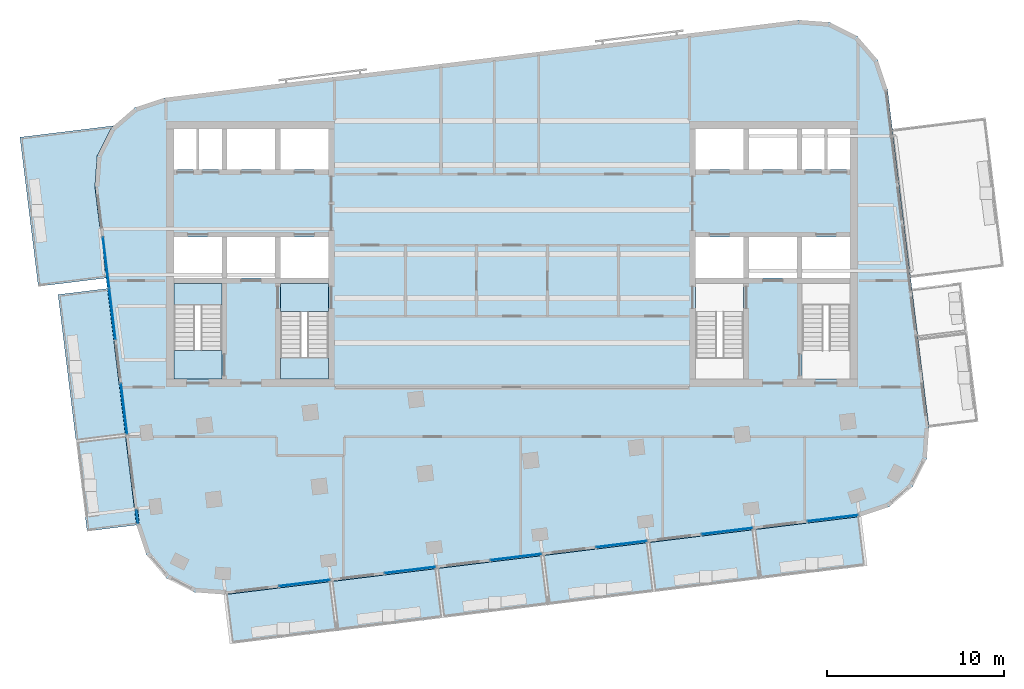
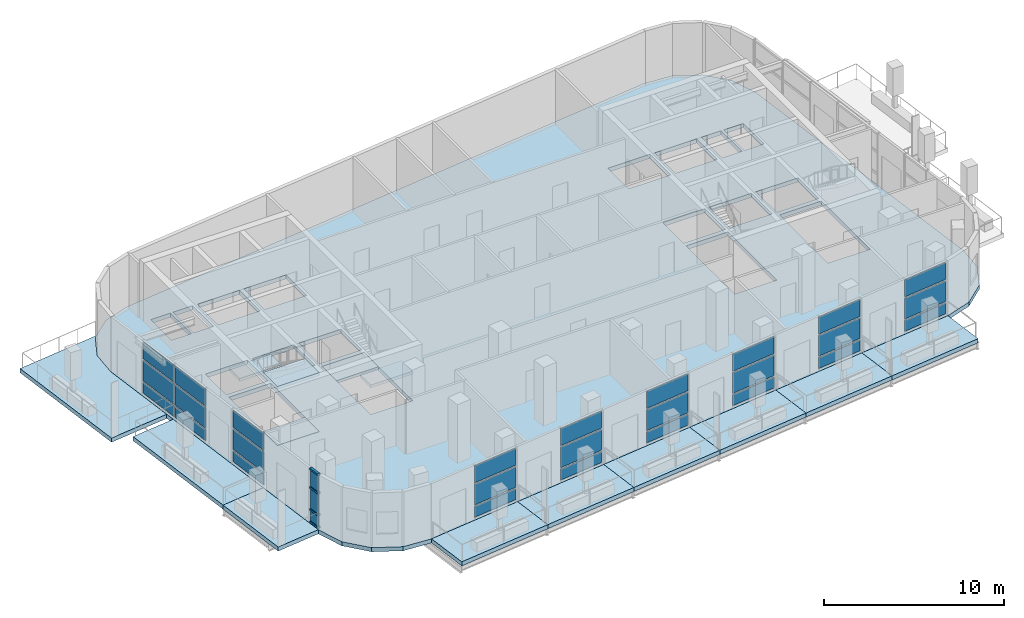
# One storey, part 5 of 14: 30 plates, 15 slabs, 4 members, 11 elements without a shape of their own.
"""IFC4 building model written with IfcOpenShell, lengths in metres."""

from ifc_helpers import new_model, si_unit, direction, frame, origin, origin_2d, place, context, subcontext, project, spatial, polyline, rectangle, outline, extrude, material, layer, layer_set, material_profile, profile_set, type_object, element, aggregate, save


model = new_model("IFC4")

# Units and contexts
model_context = context("Model", 3, precision=1e-05, world=origin(), true_north=direction((0.0, 1.0)))
body_context = subcontext(model_context, "Body", "Model", "MODEL_VIEW")
ifc_project = project(units=[si_unit("LENGTHUNIT", "METRE"), si_unit("AREAUNIT", "SQUARE_METRE"), si_unit("VOLUMEUNIT", "CUBIC_METRE"), si_unit("PLANEANGLEUNIT", "RADIAN"), si_unit("MASSUNIT", "GRAM", prefix="KILO")], contexts=[model_context])

# Site, building, storey
site_placement = place(None, origin())
site = spatial("IfcSite", under=ifc_project, at=site_placement, CompositionType="ELEMENT")
building_placement = place(site_placement, origin())
building = spatial("IfcBuilding", under=site, at=building_placement, Name="Torana Hotel and Residences", CompositionType="ELEMENT")
storey_placement = place(building_placement, frame((0.0, 0.0, 338.60009765625)))
storey = spatial("IfcBuildingStorey", under=building, at=storey_placement, Name="L89", CompositionType="ELEMENT", Elevation=338.60009765625)

# Curtain wall, members
ifc_material_1 = material(Name="Dark anodised aluminium", Category="aluminium")
ifc_layer_1 = layer(ifc_material_1, 0.199951171875)
ifc_layer_set_1 = layer_set([ifc_layer_1], Name="CW3 SKY CLUB UNITISED CURTAIN WALL")
curtain_wall_type = type_object("IfcCurtainWallType", Name="CW3 SKY CLUB UNITISED CURTAIN WALL", PredefinedType="NOTDEFINED", material=ifc_layer_set_1)
curtain_wall_1_placement = place(storey_placement, origin())
curtain_wall_1 = element("IfcCurtainWall", 1, at=curtain_wall_1_placement, inside=storey, type_object=curtain_wall_type, Name="Curtain wall CW3 L89 e0.9-6", PredefinedType="NOTDEFINED")
ifc_material_2 = material(Name="Dark anodised aluminium", Category="aluminium")
ifc_material_profile = material_profile(ifc_material_2, rectangle(XDim=0.14990234375, YDim=0.1201171875, at=origin_2d()), Name="CW3 TRANSOM 150x120")
ifc_profile_set = profile_set([ifc_material_profile], Name="Dark anodised aluminium")
member_type = type_object("IfcMemberType", Name="CW3 TRANSOM 150x120", PredefinedType="USERDEFINED", material=ifc_profile_set)
member_1_placement = place(storey_placement, frame((-21.1640625, -21.9345703125, 0.059814453125), z_axis=(0.121868344815, -0.992546274252, 0.0), x_axis=(0.992546274252, 0.121868344815, 0.0)))
member_1 = element("IfcMember", 2, at=member_1_placement, type_object=member_type, Name="CW3 transom 1.1", ObjectType="TRANSOM", PredefinedType="USERDEFINED", context=body_context, shape_type="SweptSolid", body=[
    extrude(rectangle(XDim=0.14990234375, YDim=0.1201171875, at=origin_2d()), origin(), (0.0, 0.0, 1.0), 0.735107421875),
])
member_2_placement = place(storey_placement, frame((-21.1640625, -21.9345703125, 0.89990234375), z_axis=(0.121868344815, -0.992546274252, 0.0), x_axis=(0.992546274252, 0.121868344815, 0.0)))
member_2 = element("IfcMember", 3, at=member_2_placement, type_object=member_type, Name="CW3 transom 1.2", ObjectType="TRANSOM", PredefinedType="USERDEFINED", context=body_context, shape_type="SweptSolid", body=[
    extrude(rectangle(XDim=0.14990234375, YDim=0.1201171875, at=origin_2d()), origin(), (0.0, 0.0, 1.0), 0.735107421875),
])
member_3_placement = place(storey_placement, frame((-21.1640625, -21.9345703125, 2.39990234375), z_axis=(0.121868344815, -0.992546274252, 0.0), x_axis=(0.992546274252, 0.121868344815, 0.0)))
member_3 = element("IfcMember", 4, at=member_3_placement, type_object=member_type, Name="CW3 transom 1.3", ObjectType="TRANSOM", PredefinedType="USERDEFINED", context=body_context, shape_type="SweptSolid", body=[
    extrude(rectangle(XDim=0.14990234375, YDim=0.1201171875, at=origin_2d()), origin(), (0.0, 0.0, 1.0), 0.735107421875),
])
member_4_placement = place(storey_placement, frame((-21.1640625, -21.9345703125, 3.659912109375), z_axis=(0.121868344815, -0.992546274252, 0.0), x_axis=(0.992546274252, 0.121868344815, 0.0)))
member_4 = element("IfcMember", 5, at=member_4_placement, type_object=member_type, Name="CW3 transom 1.4", ObjectType="TRANSOM", PredefinedType="USERDEFINED", context=body_context, shape_type="SweptSolid", body=[
    extrude(rectangle(XDim=0.14990234375, YDim=0.1201171875, at=origin_2d()), origin(), (0.0, 0.0, 1.0), 0.735107421875),
])

# Slabs
ifc_material_3 = material(Name="Concrete C40/50", Category="concrete")
ifc_layer_2 = layer(ifc_material_3, 0.280029296875)
ifc_layer_set_2 = layer_set([ifc_layer_2], Name="BAL1 BALCONY SLAB 280")
slab_type_1 = type_object("IfcSlabType", Name="BAL1 BALCONY SLAB 280", PredefinedType="USERDEFINED", material=ifc_layer_set_2)
slab_1_placement = place(storey_placement, frame((0.0, 0.0, -0.280029296875)))
element("IfcSlab", 6, at=slab_1_placement, inside=storey, type_object=slab_type_1, Name="Balcony 01", ObjectType="BALCONY", PredefinedType="USERDEFINED", context=body_context, shape_type="SweptSolid", body=[
    extrude(outline(polyline([(-15.80615234375, -29.4677734375), (-9.85107421875, -28.736572265625), (-10.192138671875, -25.957275390625), (-16.1474609375, -26.6884765625), (-15.80615234375, -29.4677734375)])), origin(), (0.0, 0.0, 1.0), 0.280029296875),
])
slab_2_placement = place(storey_placement, frame((0.0, 0.0, -0.280029296875)))
element("IfcSlab", 7, at=slab_2_placement, inside=storey, type_object=slab_type_1, Name="Balcony 02", ObjectType="BALCONY", PredefinedType="USERDEFINED", context=body_context, shape_type="SweptSolid", body=[
    extrude(outline(polyline([(-9.85107421875, -28.736572265625), (-3.895751953125, -28.005126953125), (-4.23681640625, -25.22607421875), (-10.192138671875, -25.957275390625), (-9.85107421875, -28.736572265625)])), origin(), (0.0, 0.0, 1.0), 0.280029296875),
])
slab_3_placement = place(storey_placement, frame((0.0, 0.0, -0.280029296875)))
element("IfcSlab", 8, at=slab_3_placement, inside=storey, type_object=slab_type_1, Name="Balcony 03", ObjectType="BALCONY", PredefinedType="USERDEFINED", context=body_context, shape_type="SweptSolid", body=[
    extrude(outline(polyline([(-3.895751953125, -28.005126953125), (2.0595703125, -27.27392578125), (1.718505859375, -24.494873046875), (-4.23681640625, -25.22607421875), (-3.895751953125, -28.005126953125)])), origin(), (0.0, 0.0, 1.0), 0.280029296875),
])
slab_4_placement = place(storey_placement, frame((0.0, 0.0, -0.280029296875)))
element("IfcSlab", 9, at=slab_4_placement, inside=storey, type_object=slab_type_1, Name="Balcony 04", ObjectType="BALCONY", PredefinedType="USERDEFINED", context=body_context, shape_type="SweptSolid", body=[
    extrude(outline(polyline([(2.0595703125, -27.27392578125), (8.014892578125, -26.542724609375), (7.673583984375, -23.763671875), (1.718505859375, -24.494873046875), (2.0595703125, -27.27392578125)])), origin(), (0.0, 0.0, 1.0), 0.280029296875),
])
slab_5_placement = place(storey_placement, frame((0.0, 0.0, -0.280029296875)))
element("IfcSlab", 10, at=slab_5_placement, inside=storey, type_object=slab_type_1, Name="Balcony 05", ObjectType="BALCONY", PredefinedType="USERDEFINED", context=body_context, shape_type="SweptSolid", body=[
    extrude(outline(polyline([(8.014892578125, -26.542724609375), (13.97021484375, -25.8115234375), (13.62890625, -23.032470703125), (7.673583984375, -23.763671875), (8.014892578125, -26.542724609375)])), origin(), (0.0, 0.0, 1.0), 0.280029296875),
])
slab_6_placement = place(storey_placement, frame((0.0, 0.0, -0.280029296875)))
element("IfcSlab", 11, at=slab_6_placement, inside=storey, type_object=slab_type_1, Name="Balcony 06", ObjectType="BALCONY", PredefinedType="USERDEFINED", context=body_context, shape_type="SweptSolid", body=[
    extrude(outline(polyline([(13.97021484375, -25.8115234375), (19.92529296875, -25.080322265625), (19.584228515625, -22.30126953125), (13.62890625, -23.032470703125), (13.97021484375, -25.8115234375)])), origin(), (0.0, 0.0, 1.0), 0.280029296875),
])
slab_7_placement = place(storey_placement, frame((0.0, 0.0, -0.280029296875)))
element("IfcSlab", 12, at=slab_7_placement, inside=storey, type_object=slab_type_1, Name="Balcony 07", ObjectType="BALCONY", PredefinedType="USERDEFINED", context=body_context, shape_type="SweptSolid", body=[
    extrude(outline(polyline([(-23.94140625, -23.11181640625), (-21.162353515625, -22.7705078125), (-21.783935546875, -17.70849609375), (-24.56298828125, -18.0498046875), (-23.94140625, -23.11181640625)])), origin(), (0.0, 0.0, 1.0), 0.280029296875),
])
slab_8_placement = place(storey_placement, frame((0.0, 0.0, -0.280029296875)))
element("IfcSlab", 13, at=slab_8_placement, inside=storey, type_object=slab_type_1, Name="Balcony 08", ObjectType="BALCONY", PredefinedType="USERDEFINED", context=body_context, shape_type="SweptSolid", body=[
    extrude(outline(polyline([(-24.56298828125, -18.0498046875), (-21.783935546875, -17.70849609375), (-22.79833984375, -9.445556640625), (-25.57763671875, -9.786865234375), (-24.56298828125, -18.0498046875)])), origin(), (0.0, 0.0, 1.0), 0.280029296875),
])
slab_9_placement = place(storey_placement, frame((0.0, 0.0, -0.280029296875)))
element("IfcSlab", 14, at=slab_9_placement, inside=storey, type_object=slab_type_1, Name="Balcony 09", ObjectType="BALCONY", PredefinedType="USERDEFINED", context=body_context, shape_type="SweptSolid", body=[
    extrude(outline(polyline([(-26.69287109375, -9.319091796875), (-22.87158203125, -8.85009765625), (-23.502197265625, -3.713623046875), (-23.3720703125, -1.962646484375), (-22.581787109375, -0.394775390625), (-22.43701171875, -0.27001953125), (-27.724365234375, -0.919189453125), (-26.69287109375, -9.319091796875)])), origin(), (0.0, 0.0, 1.0), 0.280029296875),
])

# Curtain wall, plates
curtain_wall_2_placement = place(storey_placement, origin())
curtain_wall_2 = element("IfcCurtainWall", 15, at=curtain_wall_2_placement, inside=storey, type_object=curtain_wall_type, Name="Curtain wall CW3 L89 e0.9-2", PredefinedType="NOTDEFINED")
ifc_material_4 = material(Name="Glass dark tinted double glazed unit", Category="glass")
ifc_layer_3 = layer(ifc_material_4, 0.031982421875)
ifc_layer_set_3 = layer_set([ifc_layer_3], Name="CW3 DARK GLASS PANEL 32")
plate_type = type_object("IfcPlateType", Name="CW3 DARK GLASS PANEL 32", PredefinedType="CURTAIN_PANEL", material=ifc_layer_set_3)
plate_1_placement = place(storey_placement, frame((-22.876953125, -7.986083984375, 0.1201171875), z_axis=(0.0, 0.0, 1.0), x_axis=(0.121875529794, -0.992545392029, 0.0)))
plate_1 = element("IfcPlate", 16, at=plate_1_placement, type_object=plate_type, Name="CW3 panel 1.1", PredefinedType="CURTAIN_PANEL", context=body_context, shape_type="SweptSolid", body=[
    extrude(rectangle(XDim=2.853759765625, YDim=0.031982421875, at=origin_2d()), origin(), (0.0, 0.0, 1.0), 0.719970703125),
])
plate_2_placement = place(storey_placement, frame((-22.876953125, -7.986083984375, 0.9599609375), z_axis=(0.0, 0.0, 1.0), x_axis=(0.121875529794, -0.992545392029, 0.0)))
plate_2 = element("IfcPlate", 17, at=plate_2_placement, type_object=plate_type, Name="CW3 panel 1.2", PredefinedType="CURTAIN_PANEL", context=body_context, shape_type="SweptSolid", body=[
    extrude(rectangle(XDim=2.853759765625, YDim=0.031982421875, at=origin_2d()), origin(), (0.0, 0.0, 1.0), 1.3798828125),
])
plate_3_placement = place(storey_placement, frame((-22.876953125, -7.986083984375, 2.4599609375), z_axis=(0.0, 0.0, 1.0), x_axis=(0.121875529794, -0.992545392029, 0.0)))
plate_3 = element("IfcPlate", 18, at=plate_3_placement, type_object=plate_type, Name="CW3 panel 1.3", PredefinedType="CURTAIN_PANEL", context=body_context, shape_type="SweptSolid", body=[
    extrude(rectangle(XDim=2.853759765625, YDim=0.031982421875, at=origin_2d()), origin(), (0.0, 0.0, 1.0), 1.139892578125),
])
plate_4_placement = place(storey_placement, frame((-22.5205078125, -10.88818359375, 0.1201171875), z_axis=(0.0, 0.0, 1.0), x_axis=(0.121875529794, -0.992545392029, 0.0)))
plate_4 = element("IfcPlate", 19, at=plate_4_placement, type_object=plate_type, Name="CW3 panel 2.1", PredefinedType="CURTAIN_PANEL", context=body_context, shape_type="SweptSolid", body=[
    extrude(rectangle(XDim=2.853759765625, YDim=0.031982421875, at=origin_2d()), origin(), (0.0, 0.0, 1.0), 0.719970703125),
])
plate_5_placement = place(storey_placement, frame((-22.5205078125, -10.88818359375, 0.9599609375), z_axis=(0.0, 0.0, 1.0), x_axis=(0.121875529794, -0.992545392029, 0.0)))
plate_5 = element("IfcPlate", 20, at=plate_5_placement, type_object=plate_type, Name="CW3 panel 2.2", PredefinedType="CURTAIN_PANEL", context=body_context, shape_type="SweptSolid", body=[
    extrude(rectangle(XDim=2.853759765625, YDim=0.031982421875, at=origin_2d()), origin(), (0.0, 0.0, 1.0), 1.3798828125),
])
plate_6_placement = place(storey_placement, frame((-22.5205078125, -10.88818359375, 2.4599609375), z_axis=(0.0, 0.0, 1.0), x_axis=(0.121875529794, -0.992545392029, 0.0)))
plate_6 = element("IfcPlate", 21, at=plate_6_placement, type_object=plate_type, Name="CW3 panel 2.3", PredefinedType="CURTAIN_PANEL", context=body_context, shape_type="SweptSolid", body=[
    extrude(rectangle(XDim=2.853759765625, YDim=0.031982421875, at=origin_2d()), origin(), (0.0, 0.0, 1.0), 1.139892578125),
])
aggregate(curtain_wall_2, [plate_1, plate_2, plate_3, plate_4, plate_5, plate_6])

curtain_wall_3_placement = place(storey_placement, origin())
curtain_wall_3 = element("IfcCurtainWall", 22, at=curtain_wall_3_placement, inside=storey, type_object=curtain_wall_type, Name="Curtain wall CW3 L89 e0.9-4", PredefinedType="NOTDEFINED")
plate_7_placement = place(storey_placement, frame((-21.864990234375, -16.22607421875, 0.1201171875), z_axis=(0.0, 0.0, 1.0), x_axis=(0.121857464048, -0.992547610171, 0.0)))
plate_7 = element("IfcPlate", 23, at=plate_7_placement, type_object=plate_type, Name="CW3 panel 1.1", PredefinedType="CURTAIN_PANEL", context=body_context, shape_type="SweptSolid", body=[
    extrude(rectangle(XDim=2.822509765625, YDim=0.031982421875, at=origin_2d()), origin(), (0.0, 0.0, 1.0), 0.719970703125),
])
plate_8_placement = place(storey_placement, frame((-21.864990234375, -16.22607421875, 0.9599609375), z_axis=(0.0, 0.0, 1.0), x_axis=(0.121857464048, -0.992547610171, 0.0)))
plate_8 = element("IfcPlate", 24, at=plate_8_placement, type_object=plate_type, Name="CW3 panel 1.2", PredefinedType="CURTAIN_PANEL", context=body_context, shape_type="SweptSolid", body=[
    extrude(rectangle(XDim=2.822509765625, YDim=0.031982421875, at=origin_2d()), origin(), (0.0, 0.0, 1.0), 1.3798828125),
])
plate_9_placement = place(storey_placement, frame((-21.864990234375, -16.22607421875, 2.4599609375), z_axis=(0.0, 0.0, 1.0), x_axis=(0.121857464048, -0.992547610171, 0.0)))
plate_9 = element("IfcPlate", 25, at=plate_9_placement, type_object=plate_type, Name="CW3 panel 1.3", PredefinedType="CURTAIN_PANEL", context=body_context, shape_type="SweptSolid", body=[
    extrude(rectangle(XDim=2.822509765625, YDim=0.031982421875, at=origin_2d()), origin(), (0.0, 0.0, 1.0), 1.139892578125),
])
aggregate(curtain_wall_3, [plate_7, plate_8, plate_9])

# Plate
plate_10_placement = place(storey_placement, frame((-21.119384765625, -22.299560546875, 0.1201171875), z_axis=(0.0, 0.0, 1.0), x_axis=(0.121883404477, -0.992544425058, 0.0)))
plate_10 = element("IfcPlate", 26, at=plate_10_placement, type_object=plate_type, Name="CW3 panel 1.1", PredefinedType="CURTAIN_PANEL", context=body_context, shape_type="SweptSolid", body=[
    extrude(rectangle(XDim=0.7353515625, YDim=0.031982421875, at=origin_2d()), origin(), (0.0, 0.0, 1.0), 0.719970703125),
])

plate_11_placement = place(storey_placement, frame((-21.119384765625, -22.299560546875, 0.9599609375), z_axis=(0.0, 0.0, 1.0), x_axis=(0.121883404477, -0.992544425058, 0.0)))
plate_11 = element("IfcPlate", 27, at=plate_11_placement, type_object=plate_type, Name="CW3 panel 1.2", PredefinedType="CURTAIN_PANEL", context=body_context, shape_type="SweptSolid", body=[
    extrude(rectangle(XDim=0.7353515625, YDim=0.031982421875, at=origin_2d()), origin(), (0.0, 0.0, 1.0), 1.3798828125),
])

plate_12_placement = place(storey_placement, frame((-21.119384765625, -22.299560546875, 2.4599609375), z_axis=(0.0, 0.0, 1.0), x_axis=(0.121883404477, -0.992544425058, 0.0)))
plate_12 = element("IfcPlate", 28, at=plate_12_placement, type_object=plate_type, Name="CW3 panel 1.3", PredefinedType="CURTAIN_PANEL", context=body_context, shape_type="SweptSolid", body=[
    extrude(rectangle(XDim=0.7353515625, YDim=0.031982421875, at=origin_2d()), origin(), (0.0, 0.0, 1.0), 1.139892578125),
])

aggregate(curtain_wall_1, [member_1, member_2, member_3, member_4, plate_10, plate_11, plate_12])

# Curtain wall, plates
curtain_wall_4_placement = place(storey_placement, origin())
curtain_wall_4 = element("IfcCurtainWall", 29, at=curtain_wall_4_placement, inside=storey, type_object=curtain_wall_type, Name="Curtain wall CW3 L89 e0.14-2", PredefinedType="NOTDEFINED")
plate_13_placement = place(storey_placement, frame((-11.693115234375, -26.040771484375, 0.1201171875), z_axis=(0.0, 0.0, 1.0), x_axis=(0.992546285043, 0.121868256929, 0.0)))
plate_13 = element("IfcPlate", 30, at=plate_13_placement, type_object=plate_type, Name="CW3 panel 1.1", PredefinedType="CURTAIN_PANEL", context=body_context, shape_type="SweptSolid", body=[
    extrude(rectangle(XDim=2.85986328125, YDim=0.031982421875, at=origin_2d()), origin(), (0.0, 0.0, 1.0), 0.719970703125),
])
plate_14_placement = place(storey_placement, frame((-11.693115234375, -26.040771484375, 0.9599609375), z_axis=(0.0, 0.0, 1.0), x_axis=(0.992546285043, 0.121868256929, 0.0)))
plate_14 = element("IfcPlate", 31, at=plate_14_placement, type_object=plate_type, Name="CW3 panel 1.2", PredefinedType="CURTAIN_PANEL", context=body_context, shape_type="SweptSolid", body=[
    extrude(rectangle(XDim=2.85986328125, YDim=0.031982421875, at=origin_2d()), origin(), (0.0, 0.0, 1.0), 1.3798828125),
])
plate_15_placement = place(storey_placement, frame((-11.693115234375, -26.040771484375, 2.4599609375), z_axis=(0.0, 0.0, 1.0), x_axis=(0.992546285043, 0.121868256929, 0.0)))
plate_15 = element("IfcPlate", 32, at=plate_15_placement, type_object=plate_type, Name="CW3 panel 1.3", PredefinedType="CURTAIN_PANEL", context=body_context, shape_type="SweptSolid", body=[
    extrude(rectangle(XDim=2.85986328125, YDim=0.031982421875, at=origin_2d()), origin(), (0.0, 0.0, 1.0), 1.139892578125),
])
aggregate(curtain_wall_4, [plate_13, plate_14, plate_15])

curtain_wall_5_placement = place(storey_placement, origin())
curtain_wall_5 = element("IfcCurtainWall", 33, at=curtain_wall_5_placement, inside=storey, type_object=curtain_wall_type, Name="Curtain wall CW3 L89 e0.14-4", PredefinedType="NOTDEFINED")
plate_16_placement = place(storey_placement, frame((-5.738037109375, -25.3095703125, 0.1201171875), z_axis=(0.0, 0.0, 1.0), x_axis=(0.992546780088, 0.121864225005, 0.0)))
plate_16 = element("IfcPlate", 34, at=plate_16_placement, type_object=plate_type, Name="CW3 panel 1.1", PredefinedType="CURTAIN_PANEL", context=body_context, shape_type="SweptSolid", body=[
    extrude(rectangle(XDim=2.860107421875, YDim=0.031982421875, at=origin_2d()), origin(), (0.0, 0.0, 1.0), 0.719970703125),
])
plate_17_placement = place(storey_placement, frame((-5.738037109375, -25.3095703125, 0.9599609375), z_axis=(0.0, 0.0, 1.0), x_axis=(0.992546780088, 0.121864225005, 0.0)))
plate_17 = element("IfcPlate", 35, at=plate_17_placement, type_object=plate_type, Name="CW3 panel 1.2", PredefinedType="CURTAIN_PANEL", context=body_context, shape_type="SweptSolid", body=[
    extrude(rectangle(XDim=2.860107421875, YDim=0.031982421875, at=origin_2d()), origin(), (0.0, 0.0, 1.0), 1.3798828125),
])
plate_18_placement = place(storey_placement, frame((-5.738037109375, -25.3095703125, 2.4599609375), z_axis=(0.0, 0.0, 1.0), x_axis=(0.992546780088, 0.121864225005, 0.0)))
plate_18 = element("IfcPlate", 36, at=plate_18_placement, type_object=plate_type, Name="CW3 panel 1.3", PredefinedType="CURTAIN_PANEL", context=body_context, shape_type="SweptSolid", body=[
    extrude(rectangle(XDim=2.860107421875, YDim=0.031982421875, at=origin_2d()), origin(), (0.0, 0.0, 1.0), 1.139892578125),
])
aggregate(curtain_wall_5, [plate_16, plate_17, plate_18])

curtain_wall_6_placement = place(storey_placement, origin())
curtain_wall_6 = element("IfcCurtainWall", 37, at=curtain_wall_6_placement, inside=storey, type_object=curtain_wall_type, Name="Curtain wall CW3 L89 e0.14-6", PredefinedType="NOTDEFINED")
plate_19_placement = place(storey_placement, frame((0.21728515625, -24.578369140625, 0.1201171875), z_axis=(0.0, 0.0, 1.0), x_axis=(0.992546780088, 0.121864225005, 0.0)))
plate_19 = element("IfcPlate", 38, at=plate_19_placement, type_object=plate_type, Name="CW3 panel 1.1", PredefinedType="CURTAIN_PANEL", context=body_context, shape_type="SweptSolid", body=[
    extrude(rectangle(XDim=2.860107421875, YDim=0.031982421875, at=origin_2d()), origin(), (0.0, 0.0, 1.0), 0.719970703125),
])
plate_20_placement = place(storey_placement, frame((0.21728515625, -24.578369140625, 0.9599609375), z_axis=(0.0, 0.0, 1.0), x_axis=(0.992546780088, 0.121864225005, 0.0)))
plate_20 = element("IfcPlate", 39, at=plate_20_placement, type_object=plate_type, Name="CW3 panel 1.2", PredefinedType="CURTAIN_PANEL", context=body_context, shape_type="SweptSolid", body=[
    extrude(rectangle(XDim=2.860107421875, YDim=0.031982421875, at=origin_2d()), origin(), (0.0, 0.0, 1.0), 1.3798828125),
])
plate_21_placement = place(storey_placement, frame((0.21728515625, -24.578369140625, 2.4599609375), z_axis=(0.0, 0.0, 1.0), x_axis=(0.992546780088, 0.121864225005, 0.0)))
plate_21 = element("IfcPlate", 40, at=plate_21_placement, type_object=plate_type, Name="CW3 panel 1.3", PredefinedType="CURTAIN_PANEL", context=body_context, shape_type="SweptSolid", body=[
    extrude(rectangle(XDim=2.860107421875, YDim=0.031982421875, at=origin_2d()), origin(), (0.0, 0.0, 1.0), 1.139892578125),
])
aggregate(curtain_wall_6, [plate_19, plate_20, plate_21])

curtain_wall_7_placement = place(storey_placement, origin())
curtain_wall_7 = element("IfcCurtainWall", 41, at=curtain_wall_7_placement, inside=storey, type_object=curtain_wall_type, Name="Curtain wall CW3 L89 e0.14-8", PredefinedType="NOTDEFINED")
plate_22_placement = place(storey_placement, frame((6.172607421875, -23.84716796875, 0.1201171875), z_axis=(0.0, 0.0, 1.0), x_axis=(0.992546285043, 0.121868256929, 0.0)))
plate_22 = element("IfcPlate", 42, at=plate_22_placement, type_object=plate_type, Name="CW3 panel 1.1", PredefinedType="CURTAIN_PANEL", context=body_context, shape_type="SweptSolid", body=[
    extrude(rectangle(XDim=2.85986328125, YDim=0.031982421875, at=origin_2d()), origin(), (0.0, 0.0, 1.0), 0.719970703125),
])
plate_23_placement = place(storey_placement, frame((6.172607421875, -23.84716796875, 0.9599609375), z_axis=(0.0, 0.0, 1.0), x_axis=(0.992546285043, 0.121868256929, 0.0)))
plate_23 = element("IfcPlate", 43, at=plate_23_placement, type_object=plate_type, Name="CW3 panel 1.2", PredefinedType="CURTAIN_PANEL", context=body_context, shape_type="SweptSolid", body=[
    extrude(rectangle(XDim=2.85986328125, YDim=0.031982421875, at=origin_2d()), origin(), (0.0, 0.0, 1.0), 1.3798828125),
])
plate_24_placement = place(storey_placement, frame((6.172607421875, -23.84716796875, 2.4599609375), z_axis=(0.0, 0.0, 1.0), x_axis=(0.992546285043, 0.121868256929, 0.0)))
plate_24 = element("IfcPlate", 44, at=plate_24_placement, type_object=plate_type, Name="CW3 panel 1.3", PredefinedType="CURTAIN_PANEL", context=body_context, shape_type="SweptSolid", body=[
    extrude(rectangle(XDim=2.85986328125, YDim=0.031982421875, at=origin_2d()), origin(), (0.0, 0.0, 1.0), 1.139892578125),
])
aggregate(curtain_wall_7, [plate_22, plate_23, plate_24])

curtain_wall_8_placement = place(storey_placement, origin())
curtain_wall_8 = element("IfcCurtainWall", 45, at=curtain_wall_8_placement, inside=storey, type_object=curtain_wall_type, Name="Curtain wall CW3 L89 e0.14-10", PredefinedType="NOTDEFINED")
plate_25_placement = place(storey_placement, frame((12.1279296875, -23.115966796875, 0.1201171875), z_axis=(0.0, 0.0, 1.0), x_axis=(0.992546285043, 0.121868256929, 0.0)))
plate_25 = element("IfcPlate", 46, at=plate_25_placement, type_object=plate_type, Name="CW3 panel 1.1", PredefinedType="CURTAIN_PANEL", context=body_context, shape_type="SweptSolid", body=[
    extrude(rectangle(XDim=2.85986328125, YDim=0.031982421875, at=origin_2d()), origin(), (0.0, 0.0, 1.0), 0.719970703125),
])
plate_26_placement = place(storey_placement, frame((12.1279296875, -23.115966796875, 0.9599609375), z_axis=(0.0, 0.0, 1.0), x_axis=(0.992546285043, 0.121868256929, 0.0)))
plate_26 = element("IfcPlate", 47, at=plate_26_placement, type_object=plate_type, Name="CW3 panel 1.2", PredefinedType="CURTAIN_PANEL", context=body_context, shape_type="SweptSolid", body=[
    extrude(rectangle(XDim=2.85986328125, YDim=0.031982421875, at=origin_2d()), origin(), (0.0, 0.0, 1.0), 1.3798828125),
])
plate_27_placement = place(storey_placement, frame((12.1279296875, -23.115966796875, 2.4599609375), z_axis=(0.0, 0.0, 1.0), x_axis=(0.992546285043, 0.121868256929, 0.0)))
plate_27 = element("IfcPlate", 48, at=plate_27_placement, type_object=plate_type, Name="CW3 panel 1.3", PredefinedType="CURTAIN_PANEL", context=body_context, shape_type="SweptSolid", body=[
    extrude(rectangle(XDim=2.85986328125, YDim=0.031982421875, at=origin_2d()), origin(), (0.0, 0.0, 1.0), 1.139892578125),
])
aggregate(curtain_wall_8, [plate_25, plate_26, plate_27])

curtain_wall_9_placement = place(storey_placement, origin())
curtain_wall_9 = element("IfcCurtainWall", 49, at=curtain_wall_9_placement, inside=storey, type_object=curtain_wall_type, Name="Curtain wall CW3 L89 e0.14-12", PredefinedType="NOTDEFINED")
plate_28_placement = place(storey_placement, frame((18.071044921875, -22.38623046875, 0.1201171875), z_axis=(0.0, 0.0, 1.0), x_axis=(0.992546950189, 0.121862839581, 0.0)))
plate_28 = element("IfcPlate", 50, at=plate_28_placement, type_object=plate_type, Name="CW3 panel 1.1", PredefinedType="CURTAIN_PANEL", context=body_context, shape_type="SweptSolid", body=[
    extrude(rectangle(XDim=2.83544921875, YDim=0.031982421875, at=origin_2d()), origin(), (0.0, 0.0, 1.0), 0.719970703125),
])
plate_29_placement = place(storey_placement, frame((18.071044921875, -22.38623046875, 0.9599609375), z_axis=(0.0, 0.0, 1.0), x_axis=(0.992546950189, 0.121862839581, 0.0)))
plate_29 = element("IfcPlate", 51, at=plate_29_placement, type_object=plate_type, Name="CW3 panel 1.2", PredefinedType="CURTAIN_PANEL", context=body_context, shape_type="SweptSolid", body=[
    extrude(rectangle(XDim=2.83544921875, YDim=0.031982421875, at=origin_2d()), origin(), (0.0, 0.0, 1.0), 1.3798828125),
])
plate_30_placement = place(storey_placement, frame((18.071044921875, -22.38623046875, 2.4599609375), z_axis=(0.0, 0.0, 1.0), x_axis=(0.992546950189, 0.121862839581, 0.0)))
plate_30 = element("IfcPlate", 52, at=plate_30_placement, type_object=plate_type, Name="CW3 panel 1.3", PredefinedType="CURTAIN_PANEL", context=body_context, shape_type="SweptSolid", body=[
    extrude(rectangle(XDim=2.83544921875, YDim=0.031982421875, at=origin_2d()), origin(), (0.0, 0.0, 1.0), 1.139892578125),
])
aggregate(curtain_wall_9, [plate_28, plate_29, plate_30])

# Slab
ifc_material_5 = material(Name="Concrete C40/50", Category="concrete")
ifc_layer_4 = layer(ifc_material_5, 0.280029296875)
ifc_layer_set_4 = layer_set([ifc_layer_4], Name="FLOOR SLAB PT 280")
slab_type_2 = type_object("IfcSlabType", Name="FLOOR SLAB PT 280", PredefinedType="FLOOR", material=ifc_layer_set_4)
slab_10_placement = place(storey_placement, frame((0.0, 0.0, -0.280029296875)))
element("IfcSlab", 53, at=slab_10_placement, inside=storey, type_object=slab_type_2, Name="Floor slab", PredefinedType="FLOOR", context=body_context, shape_type="SweptSolid", body=[
    extrude(outline(polyline([(21.162353515625, 1.7705078125), (20.612548828125, 3.43798828125), (19.46630859375, 4.76806640625), (17.8984375, 5.558349609375), (16.1474609375, 5.6884765625), (-19.584228515625, 1.30126953125), (-21.251708984375, 0.75146484375), (-22.581787109375, -0.394775390625), (-23.3720703125, -1.962646484375), (-23.502197265625, -3.713623046875), (-21.162353515625, -22.7705078125), (-20.612548828125, -24.43798828125), (-19.46630859375, -25.76806640625), (-17.8984375, -26.558349609375), (-16.1474609375, -26.6884765625), (19.584228515625, -22.30126953125), (21.251708984375, -21.75146484375), (22.581787109375, -20.605224609375), (23.3720703125, -19.037353515625), (23.502197265625, -17.286376953125), (21.162353515625, 1.7705078125)]), holes=[polyline([(-13.050048828125, -14.550048828125), (-10.35009765625, -14.550048828125), (-10.35009765625, -9.14990234375), (-13.050048828125, -9.14990234375), (-13.050048828125, -14.550048828125)]), polyline([(-19.050048828125, -14.550048828125), (-16.35009765625, -14.550048828125), (-16.35009765625, -9.14990234375), (-19.050048828125, -9.14990234375), (-19.050048828125, -14.550048828125)]), polyline([(-17.625, -2.75), (-16.35009765625, -2.75), (-16.35009765625, -0.449951171875), (-17.625, -0.449951171875), (-17.625, -2.75)]), polyline([(-19.050048828125, -2.75), (-17.77490234375, -2.75), (-17.77490234375, -0.449951171875), (-19.050048828125, -0.449951171875), (-19.050048828125, -2.75)]), polyline([(-13.050048828125, -2.75), (-10.35009765625, -2.75), (-10.35009765625, -0.449951171875), (-13.050048828125, -0.449951171875), (-13.050048828125, -2.75)]), polyline([(-16.050048828125, -2.75), (-13.35009765625, -2.75), (-13.35009765625, -0.449951171875), (-16.050048828125, -0.449951171875), (-16.050048828125, -2.75)]), polyline([(-13.050048828125, -8.85009765625), (-10.35009765625, -8.85009765625), (-10.35009765625, -6.550048828125), (-13.050048828125, -6.550048828125), (-13.050048828125, -8.85009765625)]), polyline([(-16.050048828125, -8.85009765625), (-13.35009765625, -8.85009765625), (-13.35009765625, -6.550048828125), (-16.050048828125, -6.550048828125), (-16.050048828125, -8.85009765625)]), polyline([(-19.050048828125, -8.85009765625), (-16.35009765625, -8.85009765625), (-16.35009765625, -6.550048828125), (-19.050048828125, -6.550048828125), (-19.050048828125, -8.85009765625)]), polyline([(10.35009765625, -14.550048828125), (13.050048828125, -14.550048828125), (13.050048828125, -9.14990234375), (10.35009765625, -9.14990234375), (10.35009765625, -14.550048828125)]), polyline([(16.35009765625, -14.550048828125), (19.050048828125, -14.550048828125), (19.050048828125, -9.14990234375), (16.35009765625, -9.14990234375), (16.35009765625, -14.550048828125)]), polyline([(16.35009765625, -2.75), (17.625, -2.75), (17.625, -0.449951171875), (16.35009765625, -0.449951171875), (16.35009765625, -2.75)]), polyline([(17.77490234375, -2.75), (19.050048828125, -2.75), (19.050048828125, -0.449951171875), (17.77490234375, -0.449951171875), (17.77490234375, -2.75)]), polyline([(10.35009765625, -2.75), (13.050048828125, -2.75), (13.050048828125, -0.449951171875), (10.35009765625, -0.449951171875), (10.35009765625, -2.75)]), polyline([(13.35009765625, -2.75), (16.050048828125, -2.75), (16.050048828125, -0.449951171875), (13.35009765625, -0.449951171875), (13.35009765625, -2.75)]), polyline([(10.35009765625, -8.85009765625), (13.050048828125, -8.85009765625), (13.050048828125, -6.550048828125), (10.35009765625, -6.550048828125), (10.35009765625, -8.85009765625)]), polyline([(13.35009765625, -8.85009765625), (16.050048828125, -8.85009765625), (16.050048828125, -6.550048828125), (13.35009765625, -6.550048828125), (13.35009765625, -8.85009765625)]), polyline([(16.35009765625, -8.85009765625), (19.050048828125, -8.85009765625), (19.050048828125, -6.550048828125), (16.35009765625, -6.550048828125), (16.35009765625, -8.85009765625)])]), origin(), (0.0, 0.0, 1.0), 0.280029296875),
])

# Stair, slabs
ifc_material_6 = material(Name="Concrete C40/50 precast", Category="concrete")
stair_type_1 = type_object("IfcStairType", Name="STAIR ST1 HALF TURN 1200", PredefinedType="HALF_TURN_STAIR", material=ifc_material_6)
stair_1_placement = place(storey_placement, origin())
stair_1 = element("IfcStair", 54, at=stair_1_placement, inside=storey, type_object=stair_type_1, Name="Stair ST1 L89", PredefinedType="HALF_TURN_STAIR")
ifc_material_7 = material(Name="Concrete C40/50 precast", Category="concrete")
ifc_layer_5 = layer(ifc_material_7, 0.199951171875)
ifc_layer_set_5 = layer_set([ifc_layer_5], Name="STAIR LANDING 200")
slab_type_3 = type_object("IfcSlabType", Name="STAIR LANDING 200", PredefinedType="LANDING", material=ifc_layer_set_5)
slab_11_placement = place(storey_placement, frame((0.0, 0.0, 1.7998046875)))
slab_11 = element("IfcSlab", 55, at=slab_11_placement, type_object=slab_type_3, Name="ST1 landing 1", PredefinedType="LANDING", context=body_context, shape_type="SweptSolid", body=[
    extrude(outline(polyline([(-13.050048828125, -14.550048828125), (-10.35009765625, -14.550048828125), (-10.35009765625, -13.35009765625), (-13.050048828125, -13.35009765625), (-13.050048828125, -14.550048828125)])), origin(), (0.0, 0.0, 1.0), 0.2001953125),
])
slab_12_placement = place(storey_placement, frame((0.0, 0.0, -0.2001953125)))
slab_12 = element("IfcSlab", 56, at=slab_12_placement, type_object=slab_type_3, Name="ST1 landing 2", PredefinedType="LANDING", context=body_context, shape_type="SweptSolid", body=[
    extrude(outline(polyline([(-13.050048828125, -10.75), (-10.35009765625, -10.75), (-10.35009765625, -9.14990234375), (-13.050048828125, -9.14990234375), (-13.050048828125, -10.75)])), origin(), (0.0, 0.0, 1.0), 0.2001953125),
])
aggregate(stair_1, [slab_11, slab_12])

ifc_material_8 = material(Name="Concrete C40/50 precast", Category="concrete")
stair_type_2 = type_object("IfcStairType", Name="STAIR ST2 HALF TURN 1200", PredefinedType="HALF_TURN_STAIR", material=ifc_material_8)
stair_2_placement = place(storey_placement, origin())
stair_2 = element("IfcStair", 57, at=stair_2_placement, inside=storey, type_object=stair_type_2, Name="Stair ST2 L89", PredefinedType="HALF_TURN_STAIR")
slab_13_placement = place(storey_placement, frame((0.0, 0.0, 1.7998046875)))
slab_13 = element("IfcSlab", 58, at=slab_13_placement, type_object=slab_type_3, Name="ST2 landing 1", PredefinedType="LANDING", context=body_context, shape_type="SweptSolid", body=[
    extrude(outline(polyline([(-19.050048828125, -10.35009765625), (-16.35009765625, -10.35009765625), (-16.35009765625, -9.14990234375), (-19.050048828125, -9.14990234375), (-19.050048828125, -10.35009765625)])), origin(), (0.0, 0.0, 1.0), 0.2001953125),
])
slab_14_placement = place(storey_placement, frame((0.0, 0.0, -0.2001953125)))
slab_14 = element("IfcSlab", 59, at=slab_14_placement, type_object=slab_type_3, Name="ST2 landing 2", PredefinedType="LANDING", context=body_context, shape_type="SweptSolid", body=[
    extrude(outline(polyline([(-19.050048828125, -14.550048828125), (-16.35009765625, -14.550048828125), (-16.35009765625, -12.949951171875), (-19.050048828125, -12.949951171875), (-19.050048828125, -14.550048828125)])), origin(), (0.0, 0.0, 1.0), 0.2001953125),
])
slab_15_placement = place(storey_placement, frame((0.0, 0.0, 3.7998046875)))
slab_15 = element("IfcSlab", 60, at=slab_15_placement, type_object=slab_type_3, Name="ST2 landing 3", PredefinedType="LANDING", context=body_context, shape_type="SweptSolid", body=[
    extrude(outline(polyline([(-19.050048828125, -14.550048828125), (-16.35009765625, -14.550048828125), (-16.35009765625, -12.949951171875), (-19.050048828125, -12.949951171875), (-19.050048828125, -14.550048828125)])), origin(), (0.0, 0.0, 1.0), 0.2001953125),
])
aggregate(stair_2, [slab_13, slab_14, slab_15])

save(model, "model.ifc")
